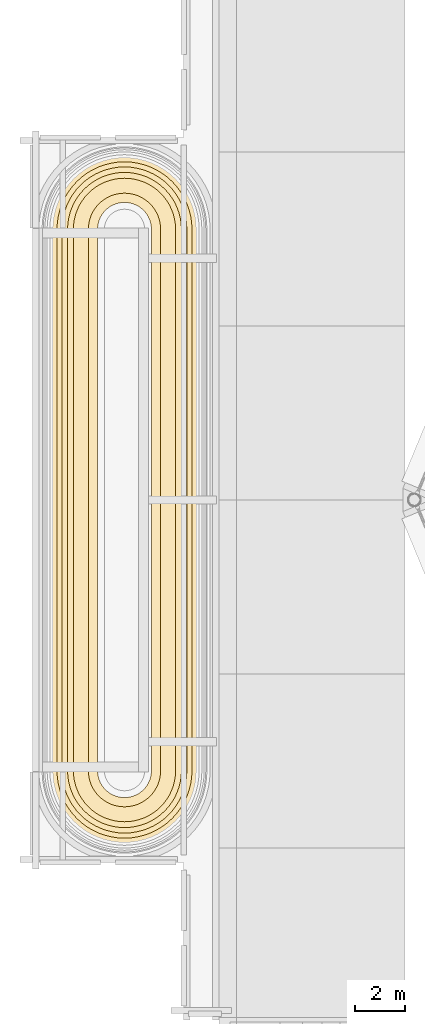
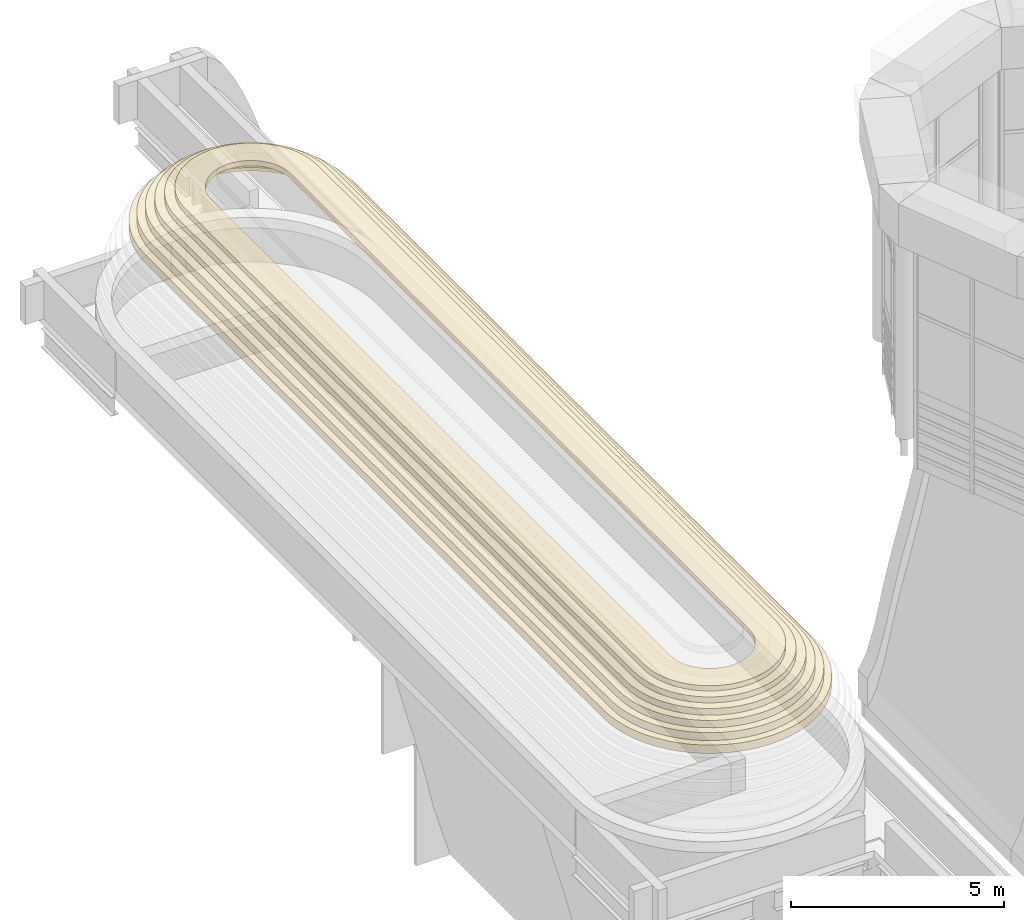
# One storey, part 10 of 14: 6 coverings.
"""IFC4 building model written with IfcOpenShell, lengths in metres."""

from ifc_helpers import new_model, si_unit, direction, frame, origin, place, context, subcontext, project, spatial, polyline, outline, extrude, material, layer, layer_set, type_object, element, save


model = new_model("IFC4")

# Units and contexts
model_context = context("Model", 3, precision=1e-05, world=origin(), true_north=direction((0.0, 1.0)))
body_context = subcontext(model_context, "Body", "Model", "MODEL_VIEW")
ifc_project = project(units=[si_unit("LENGTHUNIT", "METRE"), si_unit("AREAUNIT", "SQUARE_METRE"), si_unit("VOLUMEUNIT", "CUBIC_METRE"), si_unit("PLANEANGLEUNIT", "RADIAN"), si_unit("MASSUNIT", "GRAM", prefix="KILO")], contexts=[model_context])

# Site, building, storey
site_placement = place(None, origin())
site = spatial("IfcSite", under=ifc_project, at=site_placement, CompositionType="ELEMENT")
building_placement = place(site_placement, origin())
building = spatial("IfcBuilding", under=site, at=building_placement, Name="Cobrizo Arcos Hotel Tower", CompositionType="ELEMENT")
storey_placement = place(building_placement, frame((0.0, 0.0, 290.0)))
storey = spatial("IfcBuildingStorey", under=building, at=storey_placement, Name="RF", CompositionType="ELEMENT", Elevation=290.0)

# Coverings
ifc_material = material(Name="Aluminium 6063-T6 anodised pale", Category="aluminium")
ifc_layer = layer(ifc_material, 0.35009765625)
ifc_layer_set = layer_set([ifc_layer], Name="CB-7 shoulder roll course 350")
covering_type = type_object("IfcCoveringType", Name="CB-7 shoulder roll course 350", PredefinedType="CLADDING", material=ifc_layer_set)
covering_1_placement = place(storey_placement, frame((0.0, 0.0, 3.392333984375)))
element("IfcCovering", 1, at=covering_1_placement, inside=storey, type_object=covering_type, Name="Shoulder roll W course 9", PredefinedType="CLADDING", context=body_context, shape_type="SweptSolid", body=[
    extrude(outline(polyline([(-19.617919921875, 10.730712890625), (-19.60302734375, 11.031005859375), (-19.561767578125, 11.309326171875), (-19.493408203125, 11.582275390625), (-19.398681640625, 11.84716796875), (-19.2783203125, 12.101318359375), (-19.1337890625, 12.3427734375), (-18.966064453125, 12.568603515625), (-18.777099609375, 12.777099609375), (-18.568603515625, 12.966064453125), (-18.3427734375, 13.1337890625), (-18.101318359375, 13.2783203125), (-17.84716796875, 13.398681640625), (-17.582275390625, 13.493408203125), (-17.309326171875, 13.561767578125), (-17.031005859375, 13.60302734375), (-16.75, 13.61669921875), (-16.468994140625, 13.60302734375), (-16.190673828125, 13.561767578125), (-15.917724609375, 13.493408203125), (-15.65283203125, 13.398681640625), (-15.398681640625, 13.2783203125), (-15.1572265625, 13.1337890625), (-14.931396484375, 12.966064453125), (-14.722900390625, 12.777099609375), (-14.533935546875, 12.568603515625), (-14.3662109375, 12.3427734375), (-14.2216796875, 12.101318359375), (-14.101318359375, 11.84716796875), (-14.006591796875, 11.582275390625), (-13.938232421875, 11.309326171875), (-13.89697265625, 11.031005859375), (-13.882080078125, 10.730712890625), (-13.882080078125, -10.730712890625), (-13.89697265625, -11.031005859375), (-13.938232421875, -11.309326171875), (-14.006591796875, -11.582275390625), (-14.101318359375, -11.84716796875), (-14.2216796875, -12.101318359375), (-14.3662109375, -12.3427734375), (-14.533935546875, -12.568603515625), (-14.722900390625, -12.777099609375), (-14.931396484375, -12.966064453125), (-15.1572265625, -13.1337890625), (-15.398681640625, -13.2783203125), (-15.65283203125, -13.398681640625), (-15.917724609375, -13.493408203125), (-16.190673828125, -13.561767578125), (-16.468994140625, -13.60302734375), (-16.75, -13.61669921875), (-17.031005859375, -13.60302734375), (-17.309326171875, -13.561767578125), (-17.582275390625, -13.493408203125), (-17.84716796875, -13.398681640625), (-18.101318359375, -13.2783203125), (-18.3427734375, -13.1337890625), (-18.568603515625, -12.966064453125), (-18.777099609375, -12.777099609375), (-18.966064453125, -12.568603515625), (-19.1337890625, -12.3427734375), (-19.2783203125, -12.101318359375), (-19.398681640625, -11.84716796875), (-19.493408203125, -11.582275390625), (-19.561767578125, -11.309326171875), (-19.60302734375, -11.031005859375), (-19.617919921875, -10.730712890625), (-19.617919921875, 10.730712890625)]), holes=[polyline([(-19.08203125, 10.717529296875), (-19.069091796875, 10.978515625), (-19.03564453125, 11.20458984375), (-18.97998046875, 11.426513671875), (-18.903076171875, 11.641845703125), (-18.805419921875, 11.8486328125), (-18.687744140625, 12.044677734375), (-18.551513671875, 12.228515625), (-18.39794921875, 12.39794921875), (-18.228515625, 12.551513671875), (-18.044677734375, 12.687744140625), (-17.8486328125, 12.805419921875), (-17.641845703125, 12.903076171875), (-17.426513671875, 12.97998046875), (-17.20458984375, 13.03564453125), (-16.978515625, 13.069091796875), (-16.75, 13.08056640625), (-16.521484375, 13.069091796875), (-16.29541015625, 13.03564453125), (-16.073486328125, 12.97998046875), (-15.858154296875, 12.903076171875), (-15.6513671875, 12.805419921875), (-15.455322265625, 12.687744140625), (-15.271484375, 12.551513671875), (-15.10205078125, 12.39794921875), (-14.948486328125, 12.228515625), (-14.812255859375, 12.044677734375), (-14.694580078125, 11.8486328125), (-14.596923828125, 11.641845703125), (-14.52001953125, 11.426513671875), (-14.46435546875, 11.20458984375), (-14.430908203125, 10.978515625), (-14.41796875, 10.717529296875), (-14.41796875, -10.717529296875), (-14.430908203125, -10.978515625), (-14.46435546875, -11.20458984375), (-14.52001953125, -11.426513671875), (-14.596923828125, -11.641845703125), (-14.694580078125, -11.8486328125), (-14.812255859375, -12.044677734375), (-14.948486328125, -12.228515625), (-15.10205078125, -12.39794921875), (-15.271484375, -12.551513671875), (-15.455322265625, -12.687744140625), (-15.6513671875, -12.805419921875), (-15.858154296875, -12.903076171875), (-16.073486328125, -12.97998046875), (-16.29541015625, -13.03564453125), (-16.521484375, -13.069091796875), (-16.75, -13.08056640625), (-16.978515625, -13.069091796875), (-17.20458984375, -13.03564453125), (-17.426513671875, -12.97998046875), (-17.641845703125, -12.903076171875), (-17.8486328125, -12.805419921875), (-18.044677734375, -12.687744140625), (-18.228515625, -12.551513671875), (-18.39794921875, -12.39794921875), (-18.551513671875, -12.228515625), (-18.687744140625, -12.044677734375), (-18.805419921875, -11.8486328125), (-18.903076171875, -11.641845703125), (-18.97998046875, -11.426513671875), (-19.03564453125, -11.20458984375), (-19.069091796875, -10.978515625), (-19.08203125, -10.717529296875), (-19.08203125, 10.717529296875)])]), origin(), (0.0, 0.0, 1.0), 0.240478515625),
])
covering_2_placement = place(storey_placement, frame((0.0, 0.0, 3.6328125)))
element("IfcCovering", 2, at=covering_2_placement, inside=storey, type_object=covering_type, Name="Shoulder roll W course 10", PredefinedType="CLADDING", context=body_context, shape_type="SweptSolid", body=[
    extrude(outline(polyline([(-19.431884765625, 10.726318359375), (-19.41796875, 11.0126953125), (-19.37939453125, 11.27294921875), (-19.3154296875, 11.5283203125), (-19.226806640625, 11.77587890625), (-19.1142578125, 12.013916015625), (-18.97900390625, 12.239501953125), (-18.822265625, 12.45068359375), (-18.645751953125, 12.645751953125), (-18.45068359375, 12.822265625), (-18.239501953125, 12.97900390625), (-18.013916015625, 13.1142578125), (-17.77587890625, 13.226806640625), (-17.5283203125, 13.3154296875), (-17.27294921875, 13.37939453125), (-17.0126953125, 13.41796875), (-16.75, 13.430908203125), (-16.4873046875, 13.41796875), (-16.22705078125, 13.37939453125), (-15.9716796875, 13.3154296875), (-15.72412109375, 13.226806640625), (-15.486083984375, 13.1142578125), (-15.260498046875, 12.97900390625), (-15.04931640625, 12.822265625), (-14.854248046875, 12.645751953125), (-14.677734375, 12.45068359375), (-14.52099609375, 12.239501953125), (-14.3857421875, 12.013916015625), (-14.273193359375, 11.77587890625), (-14.1845703125, 11.5283203125), (-14.12060546875, 11.27294921875), (-14.08203125, 11.0126953125), (-14.068115234375, 10.726318359375), (-14.068115234375, -10.726318359375), (-14.08203125, -11.0126953125), (-14.12060546875, -11.27294921875), (-14.1845703125, -11.5283203125), (-14.273193359375, -11.77587890625), (-14.3857421875, -12.013916015625), (-14.52099609375, -12.239501953125), (-14.677734375, -12.45068359375), (-14.854248046875, -12.645751953125), (-15.04931640625, -12.822265625), (-15.260498046875, -12.97900390625), (-15.486083984375, -13.1142578125), (-15.72412109375, -13.226806640625), (-15.9716796875, -13.3154296875), (-16.22705078125, -13.37939453125), (-16.4873046875, -13.41796875), (-16.75, -13.430908203125), (-17.0126953125, -13.41796875), (-17.27294921875, -13.37939453125), (-17.5283203125, -13.3154296875), (-17.77587890625, -13.226806640625), (-18.013916015625, -13.1142578125), (-18.239501953125, -12.97900390625), (-18.45068359375, -12.822265625), (-18.645751953125, -12.645751953125), (-18.822265625, -12.45068359375), (-18.97900390625, -12.239501953125), (-19.1142578125, -12.013916015625), (-19.226806640625, -11.77587890625), (-19.3154296875, -11.5283203125), (-19.37939453125, -11.27294921875), (-19.41796875, -11.0126953125), (-19.431884765625, -10.726318359375), (-19.431884765625, 10.726318359375)]), holes=[polyline([(-18.8798828125, 10.712646484375), (-18.867919921875, 10.95849609375), (-18.837158203125, 11.165283203125), (-18.786376953125, 11.36767578125), (-18.716064453125, 11.564453125), (-18.626708984375, 11.753173828125), (-18.519287109375, 11.932373046875), (-18.39501953125, 12.10009765625), (-18.254638671875, 12.254638671875), (-18.10009765625, 12.39501953125), (-17.932373046875, 12.519287109375), (-17.753173828125, 12.626708984375), (-17.564453125, 12.716064453125), (-17.36767578125, 12.786376953125), (-17.165283203125, 12.837158203125), (-16.95849609375, 12.867919921875), (-16.75, 12.8779296875), (-16.54150390625, 12.867919921875), (-16.334716796875, 12.837158203125), (-16.13232421875, 12.786376953125), (-15.935546875, 12.716064453125), (-15.746826171875, 12.626708984375), (-15.567626953125, 12.519287109375), (-15.39990234375, 12.39501953125), (-15.245361328125, 12.254638671875), (-15.10498046875, 12.10009765625), (-14.980712890625, 11.932373046875), (-14.873291015625, 11.753173828125), (-14.783935546875, 11.564453125), (-14.713623046875, 11.36767578125), (-14.662841796875, 11.165283203125), (-14.632080078125, 10.95849609375), (-14.6201171875, 10.712646484375), (-14.6201171875, -10.712646484375), (-14.632080078125, -10.95849609375), (-14.662841796875, -11.165283203125), (-14.713623046875, -11.36767578125), (-14.783935546875, -11.564453125), (-14.873291015625, -11.753173828125), (-14.980712890625, -11.932373046875), (-15.10498046875, -12.10009765625), (-15.245361328125, -12.254638671875), (-15.39990234375, -12.39501953125), (-15.567626953125, -12.519287109375), (-15.746826171875, -12.626708984375), (-15.935546875, -12.716064453125), (-16.13232421875, -12.786376953125), (-16.334716796875, -12.837158203125), (-16.54150390625, -12.867919921875), (-16.75, -12.8779296875), (-16.95849609375, -12.867919921875), (-17.165283203125, -12.837158203125), (-17.36767578125, -12.786376953125), (-17.564453125, -12.716064453125), (-17.753173828125, -12.626708984375), (-17.932373046875, -12.519287109375), (-18.10009765625, -12.39501953125), (-18.254638671875, -12.254638671875), (-18.39501953125, -12.10009765625), (-18.519287109375, -11.932373046875), (-18.626708984375, -11.753173828125), (-18.716064453125, -11.564453125), (-18.786376953125, -11.36767578125), (-18.837158203125, -11.165283203125), (-18.867919921875, -10.95849609375), (-18.8798828125, -10.712646484375), (-18.8798828125, 10.712646484375)])]), origin(), (0.0, 0.0, 1.0), 0.224853515625),
])
covering_3_placement = place(storey_placement, frame((0.0, 0.0, 3.857666015625)))
element("IfcCovering", 3, at=covering_3_placement, inside=storey, type_object=covering_type, Name="Shoulder roll W course 11", PredefinedType="CLADDING", context=body_context, shape_type="SweptSolid", body=[
    extrude(outline(polyline([(-19.22998046875, 10.72119140625), (-19.216552734375, 10.992919921875), (-19.180908203125, 11.2333984375), (-19.12158203125, 11.469482421875), (-19.039794921875, 11.698486328125), (-18.935791015625, 11.918212890625), (-18.810791015625, 12.126953125), (-18.666015625, 12.322265625), (-18.50244140625, 12.50244140625), (-18.322265625, 12.666015625), (-18.126953125, 12.810791015625), (-17.918212890625, 12.935791015625), (-17.698486328125, 13.039794921875), (-17.469482421875, 13.12158203125), (-17.2333984375, 13.180908203125), (-16.992919921875, 13.216552734375), (-16.75, 13.228515625), (-16.507080078125, 13.216552734375), (-16.2666015625, 13.180908203125), (-16.030517578125, 13.12158203125), (-15.801513671875, 13.039794921875), (-15.581787109375, 12.935791015625), (-15.373046875, 12.810791015625), (-15.177734375, 12.666015625), (-14.99755859375, 12.50244140625), (-14.833984375, 12.322265625), (-14.689208984375, 12.126953125), (-14.564208984375, 11.918212890625), (-14.460205078125, 11.698486328125), (-14.37841796875, 11.469482421875), (-14.319091796875, 11.2333984375), (-14.283447265625, 10.992919921875), (-14.27001953125, 10.72119140625), (-14.27001953125, -10.72119140625), (-14.283447265625, -10.992919921875), (-14.319091796875, -11.2333984375), (-14.37841796875, -11.469482421875), (-14.460205078125, -11.698486328125), (-14.564208984375, -11.918212890625), (-14.689208984375, -12.126953125), (-14.833984375, -12.322265625), (-14.99755859375, -12.50244140625), (-15.177734375, -12.666015625), (-15.373046875, -12.810791015625), (-15.581787109375, -12.935791015625), (-15.801513671875, -13.039794921875), (-16.030517578125, -13.12158203125), (-16.2666015625, -13.180908203125), (-16.507080078125, -13.216552734375), (-16.75, -13.228515625), (-16.992919921875, -13.216552734375), (-17.2333984375, -13.180908203125), (-17.469482421875, -13.12158203125), (-17.698486328125, -13.039794921875), (-17.918212890625, -12.935791015625), (-18.126953125, -12.810791015625), (-18.322265625, -12.666015625), (-18.50244140625, -12.50244140625), (-18.666015625, -12.322265625), (-18.810791015625, -12.126953125), (-18.935791015625, -11.918212890625), (-19.039794921875, -11.698486328125), (-19.12158203125, -11.469482421875), (-19.180908203125, -11.2333984375), (-19.216552734375, -10.992919921875), (-19.22998046875, -10.72119140625), (-19.22998046875, 10.72119140625)]), holes=[polyline([(-18.66259765625, 10.707275390625), (-18.651123046875, 10.937255859375), (-18.623779296875, 11.122802734375), (-18.578125, 11.3046875), (-18.514892578125, 11.481201171875), (-18.434814453125, 11.650634765625), (-18.33837890625, 11.811279296875), (-18.226806640625, 11.9619140625), (-18.100830078125, 12.100830078125), (-17.9619140625, 12.226806640625), (-17.811279296875, 12.33837890625), (-17.650634765625, 12.434814453125), (-17.481201171875, 12.514892578125), (-17.3046875, 12.578125), (-17.122802734375, 12.623779296875), (-16.937255859375, 12.651123046875), (-16.75, 12.660400390625), (-16.562744140625, 12.651123046875), (-16.377197265625, 12.623779296875), (-16.1953125, 12.578125), (-16.018798828125, 12.514892578125), (-15.849365234375, 12.434814453125), (-15.688720703125, 12.33837890625), (-15.5380859375, 12.226806640625), (-15.399169921875, 12.100830078125), (-15.273193359375, 11.9619140625), (-15.16162109375, 11.811279296875), (-15.065185546875, 11.650634765625), (-14.985107421875, 11.481201171875), (-14.921875, 11.3046875), (-14.876220703125, 11.122802734375), (-14.848876953125, 10.937255859375), (-14.83740234375, 10.707275390625), (-14.83740234375, -10.707275390625), (-14.848876953125, -10.937255859375), (-14.876220703125, -11.122802734375), (-14.921875, -11.3046875), (-14.985107421875, -11.481201171875), (-15.065185546875, -11.650634765625), (-15.16162109375, -11.811279296875), (-15.273193359375, -11.9619140625), (-15.399169921875, -12.100830078125), (-15.5380859375, -12.226806640625), (-15.688720703125, -12.33837890625), (-15.849365234375, -12.434814453125), (-16.018798828125, -12.514892578125), (-16.1953125, -12.578125), (-16.377197265625, -12.623779296875), (-16.562744140625, -12.651123046875), (-16.75, -12.660400390625), (-16.937255859375, -12.651123046875), (-17.122802734375, -12.623779296875), (-17.3046875, -12.578125), (-17.481201171875, -12.514892578125), (-17.650634765625, -12.434814453125), (-17.811279296875, -12.33837890625), (-17.9619140625, -12.226806640625), (-18.100830078125, -12.100830078125), (-18.226806640625, -11.9619140625), (-18.33837890625, -11.811279296875), (-18.434814453125, -11.650634765625), (-18.514892578125, -11.481201171875), (-18.578125, -11.3046875), (-18.623779296875, -11.122802734375), (-18.651123046875, -10.937255859375), (-18.66259765625, -10.707275390625), (-18.66259765625, 10.707275390625)])]), origin(), (0.0, 0.0, 1.0), 0.2080078125),
])
covering_4_placement = place(storey_placement, frame((0.0, 0.0, 4.065673828125)))
element("IfcCovering", 4, at=covering_4_placement, inside=storey, type_object=covering_type, Name="Shoulder roll W course 12", PredefinedType="CLADDING", context=body_context, shape_type="SweptSolid", body=[
    extrude(outline(polyline([(-19.012451171875, 10.7158203125), (-19.0, 10.9716796875), (-18.96728515625, 11.191162109375), (-18.91357421875, 11.40625), (-18.838623046875, 11.615234375), (-18.743896484375, 11.815673828125), (-18.6298828125, 12.006103515625), (-18.49755859375, 12.18408203125), (-18.3486328125, 12.3486328125), (-18.18408203125, 12.49755859375), (-18.006103515625, 12.6298828125), (-17.815673828125, 12.743896484375), (-17.615234375, 12.838623046875), (-17.40625, 12.91357421875), (-17.191162109375, 12.96728515625), (-16.9716796875, 13.0), (-16.75, 13.0107421875), (-16.5283203125, 13.0), (-16.308837890625, 12.96728515625), (-16.09375, 12.91357421875), (-15.884765625, 12.838623046875), (-15.684326171875, 12.743896484375), (-15.493896484375, 12.6298828125), (-15.31591796875, 12.49755859375), (-15.1513671875, 12.3486328125), (-15.00244140625, 12.18408203125), (-14.8701171875, 12.006103515625), (-14.756103515625, 11.815673828125), (-14.661376953125, 11.615234375), (-14.58642578125, 11.40625), (-14.53271484375, 11.191162109375), (-14.5, 10.9716796875), (-14.487548828125, 10.7158203125), (-14.487548828125, -10.7158203125), (-14.5, -10.9716796875), (-14.53271484375, -11.191162109375), (-14.58642578125, -11.40625), (-14.661376953125, -11.615234375), (-14.756103515625, -11.815673828125), (-14.8701171875, -12.006103515625), (-15.00244140625, -12.18408203125), (-15.1513671875, -12.3486328125), (-15.31591796875, -12.49755859375), (-15.493896484375, -12.6298828125), (-15.684326171875, -12.743896484375), (-15.884765625, -12.838623046875), (-16.09375, -12.91357421875), (-16.308837890625, -12.96728515625), (-16.5283203125, -13.0), (-16.75, -13.0107421875), (-16.9716796875, -13.0), (-17.191162109375, -12.96728515625), (-17.40625, -12.91357421875), (-17.615234375, -12.838623046875), (-17.815673828125, -12.743896484375), (-18.006103515625, -12.6298828125), (-18.18408203125, -12.49755859375), (-18.3486328125, -12.3486328125), (-18.49755859375, -12.18408203125), (-18.6298828125, -12.006103515625), (-18.743896484375, -11.815673828125), (-18.838623046875, -11.615234375), (-18.91357421875, -11.40625), (-18.96728515625, -11.191162109375), (-19.0, -10.9716796875), (-19.012451171875, -10.7158203125), (-19.012451171875, 10.7158203125)]), holes=[polyline([(-18.431396484375, 10.70166015625), (-18.4208984375, 10.91455078125), (-18.396728515625, 11.077392578125), (-18.356689453125, 11.2373046875), (-18.30126953125, 11.392578125), (-18.230712890625, 11.54150390625), (-18.14599609375, 11.682861328125), (-18.0478515625, 11.815185546875), (-17.937255859375, 11.937255859375), (-17.815185546875, 12.0478515625), (-17.682861328125, 12.14599609375), (-17.54150390625, 12.230712890625), (-17.392578125, 12.30126953125), (-17.2373046875, 12.356689453125), (-17.077392578125, 12.396728515625), (-16.91455078125, 12.4208984375), (-16.75, 12.428955078125), (-16.58544921875, 12.4208984375), (-16.422607421875, 12.396728515625), (-16.2626953125, 12.356689453125), (-16.107421875, 12.30126953125), (-15.95849609375, 12.230712890625), (-15.817138671875, 12.14599609375), (-15.684814453125, 12.0478515625), (-15.562744140625, 11.937255859375), (-15.4521484375, 11.815185546875), (-15.35400390625, 11.682861328125), (-15.269287109375, 11.54150390625), (-15.19873046875, 11.392578125), (-15.143310546875, 11.2373046875), (-15.103271484375, 11.077392578125), (-15.0791015625, 10.91455078125), (-15.068603515625, 10.70166015625), (-15.068603515625, -10.70166015625), (-15.0791015625, -10.91455078125), (-15.103271484375, -11.077392578125), (-15.143310546875, -11.2373046875), (-15.19873046875, -11.392578125), (-15.269287109375, -11.54150390625), (-15.35400390625, -11.682861328125), (-15.4521484375, -11.815185546875), (-15.562744140625, -11.937255859375), (-15.684814453125, -12.0478515625), (-15.817138671875, -12.14599609375), (-15.95849609375, -12.230712890625), (-16.107421875, -12.30126953125), (-16.2626953125, -12.356689453125), (-16.422607421875, -12.396728515625), (-16.58544921875, -12.4208984375), (-16.75, -12.428955078125), (-16.91455078125, -12.4208984375), (-17.077392578125, -12.396728515625), (-17.2373046875, -12.356689453125), (-17.392578125, -12.30126953125), (-17.54150390625, -12.230712890625), (-17.682861328125, -12.14599609375), (-17.815185546875, -12.0478515625), (-17.937255859375, -11.937255859375), (-18.0478515625, -11.815185546875), (-18.14599609375, -11.682861328125), (-18.230712890625, -11.54150390625), (-18.30126953125, -11.392578125), (-18.356689453125, -11.2373046875), (-18.396728515625, -11.077392578125), (-18.4208984375, -10.91455078125), (-18.431396484375, -10.70166015625), (-18.431396484375, 10.70166015625)])]), origin(), (0.0, 0.0, 1.0), 0.189453125),
])
covering_5_placement = place(storey_placement, frame((0.0, 0.0, 4.255126953125)))
element("IfcCovering", 5, at=covering_5_placement, inside=storey, type_object=covering_type, Name="Shoulder roll W course 13", PredefinedType="CLADDING", context=body_context, shape_type="SweptSolid", body=[
    extrude(outline(polyline([(-18.78125, 10.710205078125), (-18.76953125, 10.948974609375), (-18.740478515625, 11.14599609375), (-18.69189453125, 11.339111328125), (-18.625, 11.526611328125), (-18.539794921875, 11.70654296875), (-18.4375, 11.87744140625), (-18.318603515625, 12.037353515625), (-18.18505859375, 12.18505859375), (-18.037353515625, 12.318603515625), (-17.87744140625, 12.4375), (-17.70654296875, 12.539794921875), (-17.526611328125, 12.625), (-17.339111328125, 12.69189453125), (-17.14599609375, 12.740478515625), (-16.948974609375, 12.76953125), (-16.75, 12.779296875), (-16.551025390625, 12.76953125), (-16.35400390625, 12.740478515625), (-16.160888671875, 12.69189453125), (-15.973388671875, 12.625), (-15.79345703125, 12.539794921875), (-15.62255859375, 12.4375), (-15.462646484375, 12.318603515625), (-15.31494140625, 12.18505859375), (-15.181396484375, 12.037353515625), (-15.0625, 11.87744140625), (-14.960205078125, 11.70654296875), (-14.875, 11.526611328125), (-14.80810546875, 11.339111328125), (-14.759521484375, 11.14599609375), (-14.73046875, 10.948974609375), (-14.71875, 10.710205078125), (-14.71875, -10.710205078125), (-14.73046875, -10.948974609375), (-14.759521484375, -11.14599609375), (-14.80810546875, -11.339111328125), (-14.875, -11.526611328125), (-14.960205078125, -11.70654296875), (-15.0625, -11.87744140625), (-15.181396484375, -12.037353515625), (-15.31494140625, -12.18505859375), (-15.462646484375, -12.318603515625), (-15.62255859375, -12.4375), (-15.79345703125, -12.539794921875), (-15.973388671875, -12.625), (-16.160888671875, -12.69189453125), (-16.35400390625, -12.740478515625), (-16.551025390625, -12.76953125), (-16.75, -12.779296875), (-16.948974609375, -12.76953125), (-17.14599609375, -12.740478515625), (-17.339111328125, -12.69189453125), (-17.526611328125, -12.625), (-17.70654296875, -12.539794921875), (-17.87744140625, -12.4375), (-18.037353515625, -12.318603515625), (-18.18505859375, -12.18505859375), (-18.318603515625, -12.037353515625), (-18.4375, -11.87744140625), (-18.539794921875, -11.70654296875), (-18.625, -11.526611328125), (-18.69189453125, -11.339111328125), (-18.740478515625, -11.14599609375), (-18.76953125, -10.948974609375), (-18.78125, -10.710205078125), (-18.78125, 10.710205078125)]), holes=[polyline([(-18.187744140625, 10.69580078125), (-18.17822265625, 10.890625), (-18.15771484375, 11.030029296875), (-18.123291015625, 11.16650390625), (-18.075927734375, 11.29931640625), (-18.015625, 11.426513671875), (-17.943359375, 11.54736328125), (-17.859375, 11.660400390625), (-17.764892578125, 11.764892578125), (-17.660400390625, 11.859375), (-17.54736328125, 11.943359375), (-17.426513671875, 12.015625), (-17.29931640625, 12.075927734375), (-17.16650390625, 12.123291015625), (-17.030029296875, 12.15771484375), (-16.890625, 12.17822265625), (-16.75, 12.185302734375), (-16.609375, 12.17822265625), (-16.469970703125, 12.15771484375), (-16.33349609375, 12.123291015625), (-16.20068359375, 12.075927734375), (-16.073486328125, 12.015625), (-15.95263671875, 11.943359375), (-15.839599609375, 11.859375), (-15.735107421875, 11.764892578125), (-15.640625, 11.660400390625), (-15.556640625, 11.54736328125), (-15.484375, 11.426513671875), (-15.424072265625, 11.29931640625), (-15.376708984375, 11.16650390625), (-15.34228515625, 11.030029296875), (-15.32177734375, 10.890625), (-15.312255859375, 10.69580078125), (-15.312255859375, -10.69580078125), (-15.32177734375, -10.890625), (-15.34228515625, -11.030029296875), (-15.376708984375, -11.16650390625), (-15.424072265625, -11.29931640625), (-15.484375, -11.426513671875), (-15.556640625, -11.54736328125), (-15.640625, -11.660400390625), (-15.735107421875, -11.764892578125), (-15.839599609375, -11.859375), (-15.95263671875, -11.943359375), (-16.073486328125, -12.015625), (-16.20068359375, -12.075927734375), (-16.33349609375, -12.123291015625), (-16.469970703125, -12.15771484375), (-16.609375, -12.17822265625), (-16.75, -12.185302734375), (-16.890625, -12.17822265625), (-17.030029296875, -12.15771484375), (-17.16650390625, -12.123291015625), (-17.29931640625, -12.075927734375), (-17.426513671875, -12.015625), (-17.54736328125, -11.943359375), (-17.660400390625, -11.859375), (-17.764892578125, -11.764892578125), (-17.859375, -11.660400390625), (-17.943359375, -11.54736328125), (-18.015625, -11.426513671875), (-18.075927734375, -11.29931640625), (-18.123291015625, -11.16650390625), (-18.15771484375, -11.030029296875), (-18.17822265625, -10.890625), (-18.187744140625, -10.69580078125), (-18.187744140625, 10.69580078125)])]), origin(), (0.0, 0.0, 1.0), 0.170166015625),
])
covering_6_placement = place(storey_placement, frame((0.0, 0.0, 4.42529296875)))
element("IfcCovering", 6, at=covering_6_placement, inside=storey, type_object=covering_type, Name="Shoulder roll W course 14", PredefinedType="CLADDING", context=body_context, shape_type="SweptSolid", body=[
    extrude(outline(polyline([(-18.537841796875, 10.704345703125), (-18.527099609375, 10.925048828125), (-18.501220703125, 11.098388671875), (-18.458740234375, 11.268310546875), (-18.399658203125, 11.433349609375), (-18.32470703125, 11.591796875), (-18.234619140625, 11.741943359375), (-18.13037109375, 11.8828125), (-18.0126953125, 12.0126953125), (-17.8828125, 12.13037109375), (-17.741943359375, 12.234619140625), (-17.591796875, 12.32470703125), (-17.433349609375, 12.399658203125), (-17.268310546875, 12.458740234375), (-17.098388671875, 12.501220703125), (-16.925048828125, 12.527099609375), (-16.75, 12.53564453125), (-16.574951171875, 12.527099609375), (-16.401611328125, 12.501220703125), (-16.231689453125, 12.458740234375), (-16.066650390625, 12.399658203125), (-15.908203125, 12.32470703125), (-15.758056640625, 12.234619140625), (-15.6171875, 12.13037109375), (-15.4873046875, 12.0126953125), (-15.36962890625, 11.8828125), (-15.265380859375, 11.741943359375), (-15.17529296875, 11.591796875), (-15.100341796875, 11.433349609375), (-15.041259765625, 11.268310546875), (-14.998779296875, 11.098388671875), (-14.972900390625, 10.925048828125), (-14.962158203125, 10.704345703125), (-14.962158203125, -10.704345703125), (-14.972900390625, -10.925048828125), (-14.998779296875, -11.098388671875), (-15.041259765625, -11.268310546875), (-15.100341796875, -11.433349609375), (-15.17529296875, -11.591796875), (-15.265380859375, -11.741943359375), (-15.36962890625, -11.8828125), (-15.4873046875, -12.0126953125), (-15.6171875, -12.13037109375), (-15.758056640625, -12.234619140625), (-15.908203125, -12.32470703125), (-16.066650390625, -12.399658203125), (-16.231689453125, -12.458740234375), (-16.401611328125, -12.501220703125), (-16.574951171875, -12.527099609375), (-16.75, -12.53564453125), (-16.925048828125, -12.527099609375), (-17.098388671875, -12.501220703125), (-17.268310546875, -12.458740234375), (-17.433349609375, -12.399658203125), (-17.591796875, -12.32470703125), (-17.741943359375, -12.234619140625), (-17.8828125, -12.13037109375), (-18.0126953125, -12.0126953125), (-18.13037109375, -11.8828125), (-18.234619140625, -11.741943359375), (-18.32470703125, -11.591796875), (-18.399658203125, -11.433349609375), (-18.458740234375, -11.268310546875), (-18.501220703125, -11.098388671875), (-18.527099609375, -10.925048828125), (-18.537841796875, -10.704345703125), (-18.537841796875, 10.704345703125)]), holes=[polyline([(-17.821533203125, 10.686767578125), (-17.8134765625, 10.854736328125), (-17.798095703125, 10.95849609375), (-17.7724609375, 11.060302734375), (-17.7373046875, 11.158935546875), (-17.6923828125, 11.253662109375), (-17.638427734375, 11.343505859375), (-17.575927734375, 11.427978515625), (-17.505615234375, 11.505615234375), (-17.427978515625, 11.575927734375), (-17.343505859375, 11.638427734375), (-17.253662109375, 11.6923828125), (-17.158935546875, 11.7373046875), (-17.060302734375, 11.7724609375), (-16.95849609375, 11.798095703125), (-16.854736328125, 11.8134765625), (-16.75, 11.818603515625), (-16.645263671875, 11.8134765625), (-16.54150390625, 11.798095703125), (-16.439697265625, 11.7724609375), (-16.341064453125, 11.7373046875), (-16.246337890625, 11.6923828125), (-16.156494140625, 11.638427734375), (-16.072021484375, 11.575927734375), (-15.994384765625, 11.505615234375), (-15.924072265625, 11.427978515625), (-15.861572265625, 11.343505859375), (-15.8076171875, 11.253662109375), (-15.7626953125, 11.158935546875), (-15.7275390625, 11.060302734375), (-15.701904296875, 10.95849609375), (-15.6865234375, 10.854736328125), (-15.678466796875, 10.686767578125), (-15.678466796875, -10.686767578125), (-15.6865234375, -10.854736328125), (-15.701904296875, -10.95849609375), (-15.7275390625, -11.060302734375), (-15.7626953125, -11.158935546875), (-15.8076171875, -11.253662109375), (-15.861572265625, -11.343505859375), (-15.924072265625, -11.427978515625), (-15.994384765625, -11.505615234375), (-16.072021484375, -11.575927734375), (-16.156494140625, -11.638427734375), (-16.246337890625, -11.6923828125), (-16.341064453125, -11.7373046875), (-16.439697265625, -11.7724609375), (-16.54150390625, -11.798095703125), (-16.645263671875, -11.8134765625), (-16.75, -11.818603515625), (-16.854736328125, -11.8134765625), (-16.95849609375, -11.798095703125), (-17.060302734375, -11.7724609375), (-17.158935546875, -11.7373046875), (-17.253662109375, -11.6923828125), (-17.343505859375, -11.638427734375), (-17.427978515625, -11.575927734375), (-17.505615234375, -11.505615234375), (-17.575927734375, -11.427978515625), (-17.638427734375, -11.343505859375), (-17.6923828125, -11.253662109375), (-17.7373046875, -11.158935546875), (-17.7724609375, -11.060302734375), (-17.798095703125, -10.95849609375), (-17.8134765625, -10.854736328125), (-17.821533203125, -10.686767578125), (-17.821533203125, 10.686767578125)])]), origin(), (0.0, 0.0, 1.0), 0.149658203125),
])

save(model, "model.ifc")
